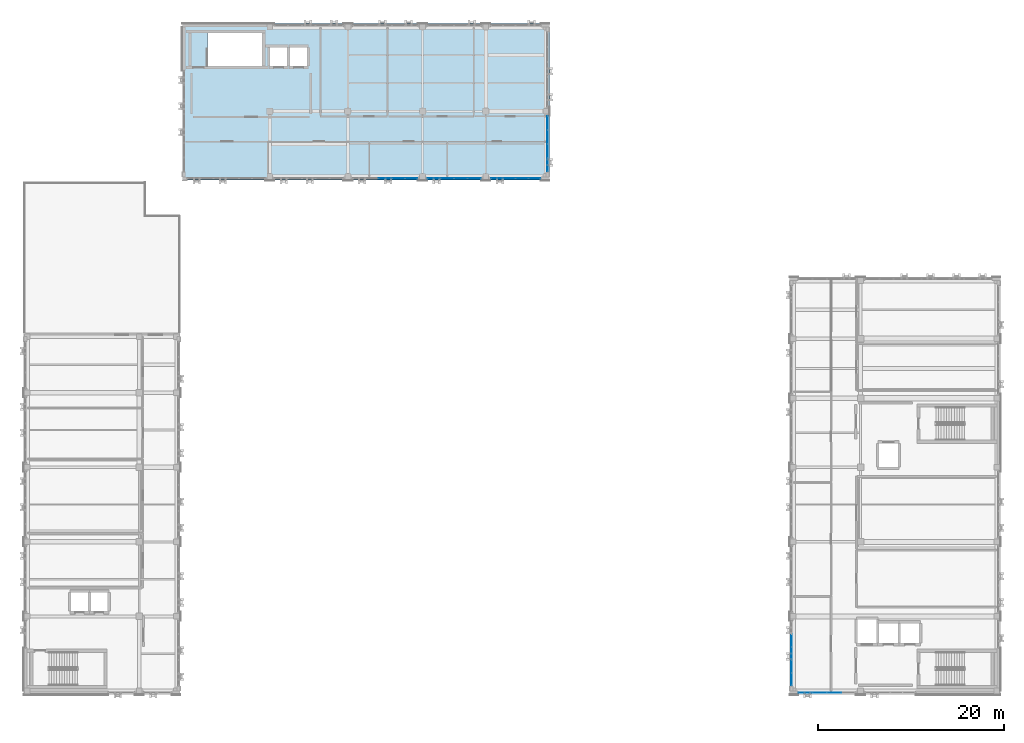
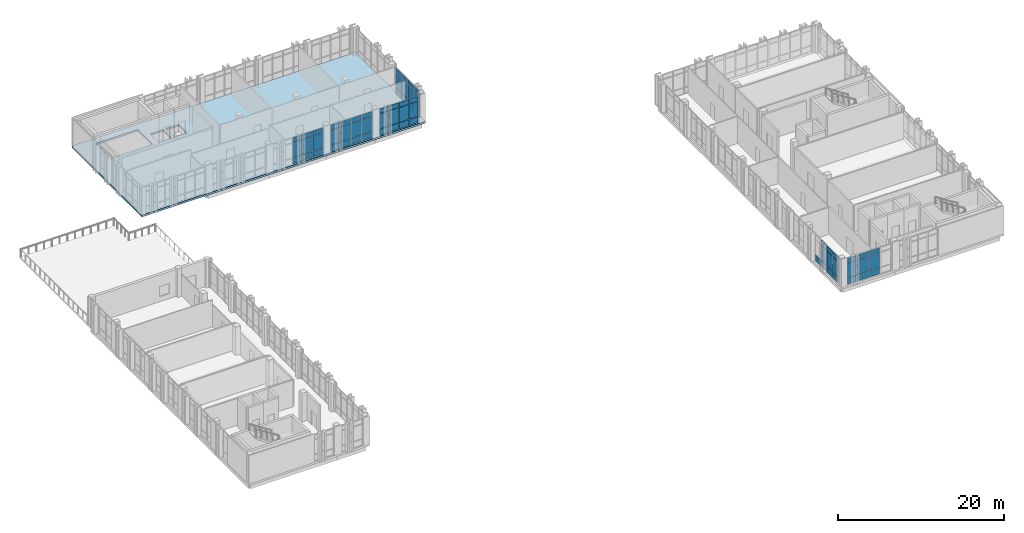
# One storey, part 54 of 77: 64 plates, 1 slab, 6 elements without a shape of their own.
"""IFC4 building model written with IfcOpenShell, lengths in metres."""

from ifc_helpers import new_model, si_unit, direction, frame, origin, origin_2d, place, context, subcontext, project, spatial, polyline, rectangle, outline, extrude, material, layer, layer_set, type_object, element, aggregate, save


model = new_model("IFC4")

# Units and contexts
model_context = context("Model", 3, precision=1e-05, world=origin(), true_north=direction((0.0, 1.0)))
body_context = subcontext(model_context, "Body", "Model", "MODEL_VIEW")
ifc_project = project(units=[si_unit("LENGTHUNIT", "METRE"), si_unit("AREAUNIT", "SQUARE_METRE"), si_unit("VOLUMEUNIT", "CUBIC_METRE"), si_unit("PLANEANGLEUNIT", "RADIAN"), si_unit("MASSUNIT", "GRAM", prefix="KILO")], contexts=[model_context])

# Site, building, storey
site_placement = place(None, origin())
site = spatial("IfcSite", under=ifc_project, at=site_placement, CompositionType="ELEMENT")
building_placement = place(site_placement, origin())
building = spatial("IfcBuilding", under=site, at=building_placement, Name="Qalavern Law Courts", CompositionType="ELEMENT")
storey_placement = place(building_placement, frame((0.0, 0.0, 27.0)))
storey = spatial("IfcBuildingStorey", under=building, at=storey_placement, Name="L06", CompositionType="ELEMENT", Elevation=27.0)

# Curtain wall, plates
ifc_material_1 = material(Name="Anodised aluminium and insulated glazing", Category="aluminium")
ifc_layer_1 = layer(ifc_material_1, 0.159912109375)
ifc_layer_set_1 = layer_set([ifc_layer_1], Name="Anodised aluminium and insulated glazing")
curtain_wall_type_1 = type_object("IfcCurtainWallType", Name="ENV-CW-CHAMB", PredefinedType="USERDEFINED", material=ifc_layer_set_1)
curtain_wall_1_placement = place(storey_placement, origin())
curtain_wall_1 = element("IfcCurtainWall", 1, at=curtain_wall_1_placement, inside=storey, type_object=curtain_wall_type_1, Name="V4 unitised curtain wall L06 south 1", ObjectType="UNITISED CURTAIN WALL", PredefinedType="USERDEFINED")
ifc_material_2 = material(Name="Insulated low-E acoustic glazing", Category="glass")
ifc_layer_2 = layer(ifc_material_2, 0.031982421875)
ifc_layer_set_2 = layer_set([ifc_layer_2], Name="Insulated low-E acoustic glazing")
plate_type_1 = type_object("IfcPlateType", Name="ENV-CWP-32", PredefinedType="CURTAIN_PANEL", material=ifc_layer_set_2)
plate_1_placement = place(storey_placement, frame((85.886962890625, 41.205078125, 0.048095703125), z_axis=(0.0, 0.0, 1.0), x_axis=(1.0, 0.0, 0.0)))
plate_1 = element("IfcPlate", 2, at=plate_1_placement, type_object=plate_type_1, Name="CW-04 panel 1.1", PredefinedType="CURTAIN_PANEL", context=body_context, shape_type="SweptSolid", body=[
    extrude(rectangle(XDim=1.47802734375, YDim=0.031982421875, at=origin_2d()), origin(), (0.0, 0.0, 1.0), 0.8779296875),
])
plate_2_placement = place(storey_placement, frame((85.886962890625, 41.205078125, 0.973876953125), z_axis=(0.0, 0.0, 1.0), x_axis=(1.0, 0.0, 0.0)))
plate_2 = element("IfcPlate", 3, at=plate_2_placement, type_object=plate_type_1, Name="CW-04 panel 1.2", PredefinedType="CURTAIN_PANEL", context=body_context, shape_type="SweptSolid", body=[
    extrude(rectangle(XDim=1.47802734375, YDim=0.031982421875, at=origin_2d()), origin(), (0.0, 0.0, 1.0), 2.18701171875),
])
plate_3_placement = place(storey_placement, frame((85.886962890625, 41.205078125, 3.208984375), z_axis=(0.0, 0.0, 1.0), x_axis=(1.0, 0.0, 0.0)))
plate_3 = element("IfcPlate", 4, at=plate_3_placement, type_object=plate_type_1, Name="CW-04 panel 1.3", PredefinedType="CURTAIN_PANEL", context=body_context, shape_type="SweptSolid", body=[
    extrude(rectangle(XDim=1.47802734375, YDim=0.031982421875, at=origin_2d()), origin(), (0.0, 0.0, 1.0), 0.677978515625),
])
plate_4_placement = place(storey_placement, frame((87.425048828125, 41.205078125, 0.048095703125), z_axis=(0.0, 0.0, 1.0), x_axis=(1.0, 0.0, 0.0)))
plate_4 = element("IfcPlate", 5, at=plate_4_placement, type_object=plate_type_1, Name="CW-04 panel 2.1", PredefinedType="CURTAIN_PANEL", context=body_context, shape_type="SweptSolid", body=[
    extrude(rectangle(XDim=1.501953125, YDim=0.031982421875, at=origin_2d()), origin(), (0.0, 0.0, 1.0), 0.8779296875),
])
plate_5_placement = place(storey_placement, frame((87.425048828125, 41.205078125, 0.973876953125), z_axis=(0.0, 0.0, 1.0), x_axis=(1.0, 0.0, 0.0)))
plate_5 = element("IfcPlate", 6, at=plate_5_placement, type_object=plate_type_1, Name="CW-04 panel 2.2", PredefinedType="CURTAIN_PANEL", context=body_context, shape_type="SweptSolid", body=[
    extrude(rectangle(XDim=1.501953125, YDim=0.031982421875, at=origin_2d()), origin(), (0.0, 0.0, 1.0), 2.18701171875),
])
plate_6_placement = place(storey_placement, frame((87.425048828125, 41.205078125, 3.208984375), z_axis=(0.0, 0.0, 1.0), x_axis=(1.0, 0.0, 0.0)))
plate_6 = element("IfcPlate", 7, at=plate_6_placement, type_object=plate_type_1, Name="CW-04 panel 2.3", PredefinedType="CURTAIN_PANEL", context=body_context, shape_type="SweptSolid", body=[
    extrude(rectangle(XDim=1.501953125, YDim=0.031982421875, at=origin_2d()), origin(), (0.0, 0.0, 1.0), 0.677978515625),
])
plate_7_placement = place(storey_placement, frame((88.97509765625, 41.205078125, 0.048095703125), z_axis=(0.0, 0.0, 1.0), x_axis=(1.0, 0.0, 0.0)))
plate_7 = element("IfcPlate", 8, at=plate_7_placement, type_object=plate_type_1, Name="CW-04 panel 3.1", PredefinedType="CURTAIN_PANEL", context=body_context, shape_type="SweptSolid", body=[
    extrude(rectangle(XDim=1.501953125, YDim=0.031982421875, at=origin_2d()), origin(), (0.0, 0.0, 1.0), 0.8779296875),
])
plate_8_placement = place(storey_placement, frame((88.97509765625, 41.205078125, 0.973876953125), z_axis=(0.0, 0.0, 1.0), x_axis=(1.0, 0.0, 0.0)))
plate_8 = element("IfcPlate", 9, at=plate_8_placement, type_object=plate_type_1, Name="CW-04 panel 3.2", PredefinedType="CURTAIN_PANEL", context=body_context, shape_type="SweptSolid", body=[
    extrude(rectangle(XDim=1.501953125, YDim=0.031982421875, at=origin_2d()), origin(), (0.0, 0.0, 1.0), 2.18701171875),
])
plate_9_placement = place(storey_placement, frame((88.97509765625, 41.205078125, 3.208984375), z_axis=(0.0, 0.0, 1.0), x_axis=(1.0, 0.0, 0.0)))
plate_9 = element("IfcPlate", 10, at=plate_9_placement, type_object=plate_type_1, Name="CW-04 panel 3.3", PredefinedType="CURTAIN_PANEL", context=body_context, shape_type="SweptSolid", body=[
    extrude(rectangle(XDim=1.501953125, YDim=0.031982421875, at=origin_2d()), origin(), (0.0, 0.0, 1.0), 0.677978515625),
])
aggregate(curtain_wall_1, [plate_1, plate_2, plate_3, plate_4, plate_5, plate_6, plate_7, plate_8, plate_9])

ifc_layer_3 = layer(ifc_material_1, 0.166015625)
ifc_layer_set_3 = layer_set([ifc_layer_3], Name="Anodised aluminium and insulated glazing")
curtain_wall_type_2 = type_object("IfcCurtainWallType", Name="ENV-CW-LIB", PredefinedType="USERDEFINED", material=ifc_layer_set_3)
curtain_wall_2_placement = place(storey_placement, origin())
curtain_wall_2 = element("IfcCurtainWall", 11, at=curtain_wall_2_placement, inside=storey, type_object=curtain_wall_type_2, Name="V5 unitised curtain wall L06 east 1", ObjectType="UNITISED CURTAIN WALL", PredefinedType="USERDEFINED")
plate_10_placement = place(storey_placement, frame((58.215087890625, 97.875244140625, 0.048095703125), z_axis=(0.0, 0.0, 1.0), x_axis=(0.0, 1.0, 0.0)))
plate_10 = element("IfcPlate", 12, at=plate_10_placement, type_object=plate_type_1, Name="CW-05 panel 1.1", PredefinedType="CURTAIN_PANEL", context=body_context, shape_type="SweptSolid", body=[
    extrude(rectangle(XDim=1.42431640625, YDim=0.031982421875, at=origin_2d()), origin(), (0.0, 0.0, 1.0), 0.8779296875),
])
plate_11_placement = place(storey_placement, frame((58.215087890625, 97.875244140625, 0.973876953125), z_axis=(0.0, 0.0, 1.0), x_axis=(0.0, 1.0, 0.0)))
plate_11 = element("IfcPlate", 13, at=plate_11_placement, type_object=plate_type_1, Name="CW-05 panel 1.2", PredefinedType="CURTAIN_PANEL", context=body_context, shape_type="SweptSolid", body=[
    extrude(rectangle(XDim=1.42431640625, YDim=0.031982421875, at=origin_2d()), origin(), (0.0, 0.0, 1.0), 2.18701171875),
])
plate_12_placement = place(storey_placement, frame((58.215087890625, 97.875244140625, 3.208984375), z_axis=(0.0, 0.0, 1.0), x_axis=(0.0, 1.0, 0.0)))
plate_12 = element("IfcPlate", 14, at=plate_12_placement, type_object=plate_type_1, Name="CW-05 panel 1.3", PredefinedType="CURTAIN_PANEL", context=body_context, shape_type="SweptSolid", body=[
    extrude(rectangle(XDim=1.42431640625, YDim=0.031982421875, at=origin_2d()), origin(), (0.0, 0.0, 1.0), 0.677978515625),
])
plate_13_placement = place(storey_placement, frame((58.215087890625, 99.359375, 0.048095703125), z_axis=(0.0, 0.0, 1.0), x_axis=(0.0, 1.0, 0.0)))
plate_13 = element("IfcPlate", 15, at=plate_13_placement, type_object=plate_type_1, Name="CW-05 panel 2.1", PredefinedType="CURTAIN_PANEL", context=body_context, shape_type="SweptSolid", body=[
    extrude(rectangle(XDim=1.4482421875, YDim=0.031982421875, at=origin_2d()), origin(), (0.0, 0.0, 1.0), 0.8779296875),
])
plate_14_placement = place(storey_placement, frame((58.215087890625, 99.359375, 0.973876953125), z_axis=(0.0, 0.0, 1.0), x_axis=(0.0, 1.0, 0.0)))
plate_14 = element("IfcPlate", 16, at=plate_14_placement, type_object=plate_type_1, Name="CW-05 panel 2.2", PredefinedType="CURTAIN_PANEL", context=body_context, shape_type="SweptSolid", body=[
    extrude(rectangle(XDim=1.4482421875, YDim=0.031982421875, at=origin_2d()), origin(), (0.0, 0.0, 1.0), 2.18701171875),
])
plate_15_placement = place(storey_placement, frame((58.215087890625, 99.359375, 3.208984375), z_axis=(0.0, 0.0, 1.0), x_axis=(0.0, 1.0, 0.0)))
plate_15 = element("IfcPlate", 17, at=plate_15_placement, type_object=plate_type_1, Name="CW-05 panel 2.3", PredefinedType="CURTAIN_PANEL", context=body_context, shape_type="SweptSolid", body=[
    extrude(rectangle(XDim=1.4482421875, YDim=0.031982421875, at=origin_2d()), origin(), (0.0, 0.0, 1.0), 0.677978515625),
])
plate_16_placement = place(storey_placement, frame((58.215087890625, 100.855712890625, 0.048095703125), z_axis=(0.0, 0.0, 1.0), x_axis=(0.0, 1.0, 0.0)))
plate_16 = element("IfcPlate", 18, at=plate_16_placement, type_object=plate_type_1, Name="CW-05 panel 3.1", PredefinedType="CURTAIN_PANEL", context=body_context, shape_type="SweptSolid", body=[
    extrude(rectangle(XDim=1.4482421875, YDim=0.031982421875, at=origin_2d()), origin(), (0.0, 0.0, 1.0), 0.8779296875),
])
plate_17_placement = place(storey_placement, frame((58.215087890625, 100.855712890625, 0.973876953125), z_axis=(0.0, 0.0, 1.0), x_axis=(0.0, 1.0, 0.0)))
plate_17 = element("IfcPlate", 19, at=plate_17_placement, type_object=plate_type_1, Name="CW-05 panel 3.2", PredefinedType="CURTAIN_PANEL", context=body_context, shape_type="SweptSolid", body=[
    extrude(rectangle(XDim=1.4482421875, YDim=0.031982421875, at=origin_2d()), origin(), (0.0, 0.0, 1.0), 2.18701171875),
])
plate_18_placement = place(storey_placement, frame((58.215087890625, 100.855712890625, 3.208984375), z_axis=(0.0, 0.0, 1.0), x_axis=(0.0, 1.0, 0.0)))
plate_18 = element("IfcPlate", 20, at=plate_18_placement, type_object=plate_type_1, Name="CW-05 panel 3.3", PredefinedType="CURTAIN_PANEL", context=body_context, shape_type="SweptSolid", body=[
    extrude(rectangle(XDim=1.4482421875, YDim=0.031982421875, at=origin_2d()), origin(), (0.0, 0.0, 1.0), 0.677978515625),
])
plate_19_placement = place(storey_placement, frame((58.215087890625, 102.33984375, 0.048095703125), z_axis=(0.0, 0.0, 1.0), x_axis=(0.0, 1.0, 0.0)))
plate_19 = element("IfcPlate", 21, at=plate_19_placement, type_object=plate_type_1, Name="CW-05 panel 4.1", PredefinedType="CURTAIN_PANEL", context=body_context, shape_type="SweptSolid", body=[
    extrude(rectangle(XDim=1.42431640625, YDim=0.031982421875, at=origin_2d()), origin(), (0.0, 0.0, 1.0), 0.8779296875),
])
plate_20_placement = place(storey_placement, frame((58.215087890625, 102.33984375, 0.973876953125), z_axis=(0.0, 0.0, 1.0), x_axis=(0.0, 1.0, 0.0)))
plate_20 = element("IfcPlate", 22, at=plate_20_placement, type_object=plate_type_1, Name="CW-05 panel 4.2", PredefinedType="CURTAIN_PANEL", context=body_context, shape_type="SweptSolid", body=[
    extrude(rectangle(XDim=1.42431640625, YDim=0.031982421875, at=origin_2d()), origin(), (0.0, 0.0, 1.0), 2.18701171875),
])
plate_21_placement = place(storey_placement, frame((58.215087890625, 102.33984375, 3.208984375), z_axis=(0.0, 0.0, 1.0), x_axis=(0.0, 1.0, 0.0)))
plate_21 = element("IfcPlate", 23, at=plate_21_placement, type_object=plate_type_1, Name="CW-05 panel 4.3", PredefinedType="CURTAIN_PANEL", context=body_context, shape_type="SweptSolid", body=[
    extrude(rectangle(XDim=1.42431640625, YDim=0.031982421875, at=origin_2d()), origin(), (0.0, 0.0, 1.0), 0.677978515625),
])
aggregate(curtain_wall_2, [plate_10, plate_11, plate_12, plate_13, plate_14, plate_15, plate_16, plate_17, plate_18, plate_19, plate_20, plate_21])

curtain_wall_3_placement = place(storey_placement, origin())
curtain_wall_3 = element("IfcCurtainWall", 24, at=curtain_wall_3_placement, inside=storey, type_object=curtain_wall_type_2, Name="V5 unitised curtain wall L06 south 3", ObjectType="UNITISED CURTAIN WALL", PredefinedType="USERDEFINED")
ifc_layer_4 = layer(ifc_material_2, 0.0400390625)
ifc_layer_set_4 = layer_set([ifc_layer_4], Name="Insulated low-E acoustic glazing")
plate_type_2 = type_object("IfcPlateType", Name="ENV-CWP-40", PredefinedType="CURTAIN_PANEL", material=ifc_layer_set_4)
plate_22_placement = place(storey_placement, frame((40.800048828125, 96.385009765625, 0.048095703125), z_axis=(0.0, 0.0, 1.0), x_axis=(1.0, 0.0, 0.0)))
plate_22 = element("IfcPlate", 25, at=plate_22_placement, type_object=plate_type_2, Name="CW-05 panel 3.1", PredefinedType="CURTAIN_PANEL", context=body_context, shape_type="SweptSolid", body=[
    extrude(rectangle(XDim=1.35205078125, YDim=0.0400390625, at=origin_2d()), origin(), (0.0, 0.0, 1.0), 0.8779296875),
])
plate_23_placement = place(storey_placement, frame((40.800048828125, 96.385009765625, 0.973876953125), z_axis=(0.0, 0.0, 1.0), x_axis=(1.0, 0.0, 0.0)))
plate_23 = element("IfcPlate", 26, at=plate_23_placement, type_object=plate_type_2, Name="CW-05 panel 3.2", PredefinedType="CURTAIN_PANEL", context=body_context, shape_type="SweptSolid", body=[
    extrude(rectangle(XDim=1.35205078125, YDim=0.0400390625, at=origin_2d()), origin(), (0.0, 0.0, 1.0), 2.18701171875),
])
plate_24_placement = place(storey_placement, frame((40.800048828125, 96.385009765625, 3.208984375), z_axis=(0.0, 0.0, 1.0), x_axis=(1.0, 0.0, 0.0)))
plate_24 = element("IfcPlate", 27, at=plate_24_placement, type_object=plate_type_2, Name="CW-05 panel 3.3", PredefinedType="CURTAIN_PANEL", context=body_context, shape_type="SweptSolid", body=[
    extrude(rectangle(XDim=1.35205078125, YDim=0.0400390625, at=origin_2d()), origin(), (0.0, 0.0, 1.0), 0.677978515625),
])
plate_25_placement = place(storey_placement, frame((42.199951171875, 96.385009765625, 0.048095703125), z_axis=(0.0, 0.0, 1.0), x_axis=(1.0, 0.0, 0.0)))
plate_25 = element("IfcPlate", 28, at=plate_25_placement, type_object=plate_type_2, Name="CW-05 panel 4.1", PredefinedType="CURTAIN_PANEL", context=body_context, shape_type="SweptSolid", body=[
    extrude(rectangle(XDim=1.35205078125, YDim=0.0400390625, at=origin_2d()), origin(), (0.0, 0.0, 1.0), 0.8779296875),
])
plate_26_placement = place(storey_placement, frame((42.199951171875, 96.385009765625, 0.973876953125), z_axis=(0.0, 0.0, 1.0), x_axis=(1.0, 0.0, 0.0)))
plate_26 = element("IfcPlate", 29, at=plate_26_placement, type_object=plate_type_2, Name="CW-05 panel 4.2", PredefinedType="CURTAIN_PANEL", context=body_context, shape_type="SweptSolid", body=[
    extrude(rectangle(XDim=1.35205078125, YDim=0.0400390625, at=origin_2d()), origin(), (0.0, 0.0, 1.0), 2.18701171875),
])
plate_27_placement = place(storey_placement, frame((42.199951171875, 96.385009765625, 3.208984375), z_axis=(0.0, 0.0, 1.0), x_axis=(1.0, 0.0, 0.0)))
plate_27 = element("IfcPlate", 30, at=plate_27_placement, type_object=plate_type_2, Name="CW-05 panel 4.3", PredefinedType="CURTAIN_PANEL", context=body_context, shape_type="SweptSolid", body=[
    extrude(rectangle(XDim=1.35205078125, YDim=0.0400390625, at=origin_2d()), origin(), (0.0, 0.0, 1.0), 0.677978515625),
])
plate_28_placement = place(storey_placement, frame((43.587890625, 96.385009765625, 0.048095703125), z_axis=(0.0, 0.0, 1.0), x_axis=(1.0, 0.0, 0.0)))
plate_28 = element("IfcPlate", 31, at=plate_28_placement, type_object=plate_type_2, Name="CW-05 panel 5.1", PredefinedType="CURTAIN_PANEL", context=body_context, shape_type="SweptSolid", body=[
    extrude(rectangle(XDim=1.327880859375, YDim=0.0400390625, at=origin_2d()), origin(), (0.0, 0.0, 1.0), 0.8779296875),
])
plate_29_placement = place(storey_placement, frame((43.587890625, 96.385009765625, 0.973876953125), z_axis=(0.0, 0.0, 1.0), x_axis=(1.0, 0.0, 0.0)))
plate_29 = element("IfcPlate", 32, at=plate_29_placement, type_object=plate_type_2, Name="CW-05 panel 5.2", PredefinedType="CURTAIN_PANEL", context=body_context, shape_type="SweptSolid", body=[
    extrude(rectangle(XDim=1.327880859375, YDim=0.0400390625, at=origin_2d()), origin(), (0.0, 0.0, 1.0), 2.18701171875),
])
plate_30_placement = place(storey_placement, frame((43.587890625, 96.385009765625, 3.208984375), z_axis=(0.0, 0.0, 1.0), x_axis=(1.0, 0.0, 0.0)))
plate_30 = element("IfcPlate", 33, at=plate_30_placement, type_object=plate_type_2, Name="CW-05 panel 5.3", PredefinedType="CURTAIN_PANEL", context=body_context, shape_type="SweptSolid", body=[
    extrude(rectangle(XDim=1.327880859375, YDim=0.0400390625, at=origin_2d()), origin(), (0.0, 0.0, 1.0), 0.677978515625),
])
aggregate(curtain_wall_3, [plate_22, plate_23, plate_24, plate_25, plate_26, plate_27, plate_28, plate_29, plate_30])

curtain_wall_4_placement = place(storey_placement, origin())
curtain_wall_4 = element("IfcCurtainWall", 34, at=curtain_wall_4_placement, inside=storey, type_object=curtain_wall_type_2, Name="V5 unitised curtain wall L06 south 4", ObjectType="UNITISED CURTAIN WALL", PredefinedType="USERDEFINED")
ifc_layer_5 = layer(ifc_material_2, 0.0439453125)
ifc_layer_set_5 = layer_set([ifc_layer_5], Name="Insulated low-E acoustic glazing")
plate_type_3 = type_object("IfcPlateType", Name="ENV-CWP-44", PredefinedType="CURTAIN_PANEL", material=ifc_layer_set_5)
plate_31_placement = place(storey_placement, frame((46.037109375, 96.385009765625, 0.048095703125), z_axis=(0.0, 0.0, 1.0), x_axis=(1.0, 0.0, 0.0)))
plate_31 = element("IfcPlate", 35, at=plate_31_placement, type_object=plate_type_3, Name="CW-05 panel 1.1", PredefinedType="CURTAIN_PANEL", context=body_context, shape_type="SweptSolid", body=[
    extrude(rectangle(XDim=1.3779296875, YDim=0.0439453125, at=origin_2d()), origin(), (0.0, 0.0, 1.0), 0.8779296875),
])
plate_32_placement = place(storey_placement, frame((46.037109375, 96.385009765625, 0.973876953125), z_axis=(0.0, 0.0, 1.0), x_axis=(1.0, 0.0, 0.0)))
plate_32 = element("IfcPlate", 36, at=plate_32_placement, type_object=plate_type_3, Name="CW-05 panel 1.2", PredefinedType="CURTAIN_PANEL", context=body_context, shape_type="SweptSolid", body=[
    extrude(rectangle(XDim=1.3779296875, YDim=0.0439453125, at=origin_2d()), origin(), (0.0, 0.0, 1.0), 2.18701171875),
])
plate_33_placement = place(storey_placement, frame((46.037109375, 96.385009765625, 3.208984375), z_axis=(0.0, 0.0, 1.0), x_axis=(1.0, 0.0, 0.0)))
plate_33 = element("IfcPlate", 37, at=plate_33_placement, type_object=plate_type_3, Name="CW-05 panel 1.3", PredefinedType="CURTAIN_PANEL", context=body_context, shape_type="SweptSolid", body=[
    extrude(rectangle(XDim=1.3779296875, YDim=0.0439453125, at=origin_2d()), origin(), (0.0, 0.0, 1.0), 0.677978515625),
])
plate_34_placement = place(storey_placement, frame((47.47509765625, 96.385009765625, 0.048095703125), z_axis=(0.0, 0.0, 1.0), x_axis=(1.0, 0.0, 0.0)))
plate_34 = element("IfcPlate", 38, at=plate_34_placement, type_object=plate_type_3, Name="CW-05 panel 2.1", PredefinedType="CURTAIN_PANEL", context=body_context, shape_type="SweptSolid", body=[
    extrude(rectangle(XDim=1.402099609375, YDim=0.0439453125, at=origin_2d()), origin(), (0.0, 0.0, 1.0), 0.8779296875),
])
plate_35_placement = place(storey_placement, frame((47.47509765625, 96.385009765625, 0.973876953125), z_axis=(0.0, 0.0, 1.0), x_axis=(1.0, 0.0, 0.0)))
plate_35 = element("IfcPlate", 39, at=plate_35_placement, type_object=plate_type_3, Name="CW-05 panel 2.2", PredefinedType="CURTAIN_PANEL", context=body_context, shape_type="SweptSolid", body=[
    extrude(rectangle(XDim=1.402099609375, YDim=0.0439453125, at=origin_2d()), origin(), (0.0, 0.0, 1.0), 2.18701171875),
])
plate_36_placement = place(storey_placement, frame((47.47509765625, 96.385009765625, 3.208984375), z_axis=(0.0, 0.0, 1.0), x_axis=(1.0, 0.0, 0.0)))
plate_36 = element("IfcPlate", 40, at=plate_36_placement, type_object=plate_type_3, Name="CW-05 panel 2.3", PredefinedType="CURTAIN_PANEL", context=body_context, shape_type="SweptSolid", body=[
    extrude(rectangle(XDim=1.402099609375, YDim=0.0439453125, at=origin_2d()), origin(), (0.0, 0.0, 1.0), 0.677978515625),
])
plate_37_placement = place(storey_placement, frame((48.925048828125, 96.385009765625, 0.048095703125), z_axis=(0.0, 0.0, 1.0), x_axis=(1.0, 0.0, 0.0)))
plate_37 = element("IfcPlate", 41, at=plate_37_placement, type_object=plate_type_3, Name="CW-05 panel 3.1", PredefinedType="CURTAIN_PANEL", context=body_context, shape_type="SweptSolid", body=[
    extrude(rectangle(XDim=1.402099609375, YDim=0.0439453125, at=origin_2d()), origin(), (0.0, 0.0, 1.0), 0.8779296875),
])
plate_38_placement = place(storey_placement, frame((48.925048828125, 96.385009765625, 0.973876953125), z_axis=(0.0, 0.0, 1.0), x_axis=(1.0, 0.0, 0.0)))
plate_38 = element("IfcPlate", 42, at=plate_38_placement, type_object=plate_type_3, Name="CW-05 panel 3.2", PredefinedType="CURTAIN_PANEL", context=body_context, shape_type="SweptSolid", body=[
    extrude(rectangle(XDim=1.402099609375, YDim=0.0439453125, at=origin_2d()), origin(), (0.0, 0.0, 1.0), 2.18701171875),
])
plate_39_placement = place(storey_placement, frame((48.925048828125, 96.385009765625, 3.208984375), z_axis=(0.0, 0.0, 1.0), x_axis=(1.0, 0.0, 0.0)))
plate_39 = element("IfcPlate", 43, at=plate_39_placement, type_object=plate_type_3, Name="CW-05 panel 3.3", PredefinedType="CURTAIN_PANEL", context=body_context, shape_type="SweptSolid", body=[
    extrude(rectangle(XDim=1.402099609375, YDim=0.0439453125, at=origin_2d()), origin(), (0.0, 0.0, 1.0), 0.677978515625),
])
plate_40_placement = place(storey_placement, frame((50.363037109375, 96.385009765625, 0.048095703125), z_axis=(0.0, 0.0, 1.0), x_axis=(1.0, 0.0, 0.0)))
plate_40 = element("IfcPlate", 44, at=plate_40_placement, type_object=plate_type_3, Name="CW-05 panel 4.1", PredefinedType="CURTAIN_PANEL", context=body_context, shape_type="SweptSolid", body=[
    extrude(rectangle(XDim=1.3779296875, YDim=0.0439453125, at=origin_2d()), origin(), (0.0, 0.0, 1.0), 0.8779296875),
])
plate_41_placement = place(storey_placement, frame((50.363037109375, 96.385009765625, 0.973876953125), z_axis=(0.0, 0.0, 1.0), x_axis=(1.0, 0.0, 0.0)))
plate_41 = element("IfcPlate", 45, at=plate_41_placement, type_object=plate_type_3, Name="CW-05 panel 4.2", PredefinedType="CURTAIN_PANEL", context=body_context, shape_type="SweptSolid", body=[
    extrude(rectangle(XDim=1.3779296875, YDim=0.0439453125, at=origin_2d()), origin(), (0.0, 0.0, 1.0), 2.18701171875),
])
plate_42_placement = place(storey_placement, frame((50.363037109375, 96.385009765625, 3.208984375), z_axis=(0.0, 0.0, 1.0), x_axis=(1.0, 0.0, 0.0)))
plate_42 = element("IfcPlate", 46, at=plate_42_placement, type_object=plate_type_3, Name="CW-05 panel 4.3", PredefinedType="CURTAIN_PANEL", context=body_context, shape_type="SweptSolid", body=[
    extrude(rectangle(XDim=1.3779296875, YDim=0.0439453125, at=origin_2d()), origin(), (0.0, 0.0, 1.0), 0.677978515625),
])
aggregate(curtain_wall_4, [plate_31, plate_32, plate_33, plate_34, plate_35, plate_36, plate_37, plate_38, plate_39, plate_40, plate_41, plate_42])

curtain_wall_5_placement = place(storey_placement, origin())
curtain_wall_5 = element("IfcCurtainWall", 47, at=curtain_wall_5_placement, inside=storey, type_object=curtain_wall_type_2, Name="V5 unitised curtain wall L06 south 5", ObjectType="UNITISED CURTAIN WALL", PredefinedType="USERDEFINED")
ifc_layer_6 = layer(ifc_material_2, 0.048095703125)
ifc_layer_set_6 = layer_set([ifc_layer_6], Name="Insulated low-E acoustic glazing")
plate_type_4 = type_object("IfcPlateType", Name="ENV-CWP-48", PredefinedType="CURTAIN_PANEL", material=ifc_layer_set_6)
plate_43_placement = place(storey_placement, frame((52.787109375, 96.385009765625, 0.048095703125), z_axis=(0.0, 0.0, 1.0), x_axis=(1.0, 0.0, 0.0)))
plate_43 = element("IfcPlate", 48, at=plate_43_placement, type_object=plate_type_4, Name="CW-05 panel 1.1", PredefinedType="CURTAIN_PANEL", context=body_context, shape_type="SweptSolid", body=[
    extrude(rectangle(XDim=1.278076171875, YDim=0.048095703125, at=origin_2d()), origin(), (0.0, 0.0, 1.0), 0.8779296875),
])
plate_44_placement = place(storey_placement, frame((52.787109375, 96.385009765625, 0.973876953125), z_axis=(0.0, 0.0, 1.0), x_axis=(1.0, 0.0, 0.0)))
plate_44 = element("IfcPlate", 49, at=plate_44_placement, type_object=plate_type_4, Name="CW-05 panel 1.2", PredefinedType="CURTAIN_PANEL", context=body_context, shape_type="SweptSolid", body=[
    extrude(rectangle(XDim=1.278076171875, YDim=0.048095703125, at=origin_2d()), origin(), (0.0, 0.0, 1.0), 2.18701171875),
])
plate_45_placement = place(storey_placement, frame((52.787109375, 96.385009765625, 3.208984375), z_axis=(0.0, 0.0, 1.0), x_axis=(1.0, 0.0, 0.0)))
plate_45 = element("IfcPlate", 50, at=plate_45_placement, type_object=plate_type_4, Name="CW-05 panel 1.3", PredefinedType="CURTAIN_PANEL", context=body_context, shape_type="SweptSolid", body=[
    extrude(rectangle(XDim=1.278076171875, YDim=0.048095703125, at=origin_2d()), origin(), (0.0, 0.0, 1.0), 0.677978515625),
])
plate_46_placement = place(storey_placement, frame((54.125, 96.385009765625, 0.048095703125), z_axis=(0.0, 0.0, 1.0), x_axis=(1.0, 0.0, 0.0)))
plate_46 = element("IfcPlate", 51, at=plate_46_placement, type_object=plate_type_4, Name="CW-05 panel 2.1", PredefinedType="CURTAIN_PANEL", context=body_context, shape_type="SweptSolid", body=[
    extrude(rectangle(XDim=1.302001953125, YDim=0.048095703125, at=origin_2d()), origin(), (0.0, 0.0, 1.0), 0.8779296875),
])
plate_47_placement = place(storey_placement, frame((54.125, 96.385009765625, 0.973876953125), z_axis=(0.0, 0.0, 1.0), x_axis=(1.0, 0.0, 0.0)))
plate_47 = element("IfcPlate", 52, at=plate_47_placement, type_object=plate_type_4, Name="CW-05 panel 2.2", PredefinedType="CURTAIN_PANEL", context=body_context, shape_type="SweptSolid", body=[
    extrude(rectangle(XDim=1.302001953125, YDim=0.048095703125, at=origin_2d()), origin(), (0.0, 0.0, 1.0), 2.18701171875),
])
plate_48_placement = place(storey_placement, frame((54.125, 96.385009765625, 3.208984375), z_axis=(0.0, 0.0, 1.0), x_axis=(1.0, 0.0, 0.0)))
plate_48 = element("IfcPlate", 53, at=plate_48_placement, type_object=plate_type_4, Name="CW-05 panel 2.3", PredefinedType="CURTAIN_PANEL", context=body_context, shape_type="SweptSolid", body=[
    extrude(rectangle(XDim=1.302001953125, YDim=0.048095703125, at=origin_2d()), origin(), (0.0, 0.0, 1.0), 0.677978515625),
])
plate_49_placement = place(storey_placement, frame((55.47509765625, 96.385009765625, 0.048095703125), z_axis=(0.0, 0.0, 1.0), x_axis=(1.0, 0.0, 0.0)))
plate_49 = element("IfcPlate", 54, at=plate_49_placement, type_object=plate_type_4, Name="CW-05 panel 3.1", PredefinedType="CURTAIN_PANEL", context=body_context, shape_type="SweptSolid", body=[
    extrude(rectangle(XDim=1.302001953125, YDim=0.048095703125, at=origin_2d()), origin(), (0.0, 0.0, 1.0), 0.8779296875),
])
plate_50_placement = place(storey_placement, frame((55.47509765625, 96.385009765625, 0.973876953125), z_axis=(0.0, 0.0, 1.0), x_axis=(1.0, 0.0, 0.0)))
plate_50 = element("IfcPlate", 55, at=plate_50_placement, type_object=plate_type_4, Name="CW-05 panel 3.2", PredefinedType="CURTAIN_PANEL", context=body_context, shape_type="SweptSolid", body=[
    extrude(rectangle(XDim=1.302001953125, YDim=0.048095703125, at=origin_2d()), origin(), (0.0, 0.0, 1.0), 2.18701171875),
])
plate_51_placement = place(storey_placement, frame((55.47509765625, 96.385009765625, 3.208984375), z_axis=(0.0, 0.0, 1.0), x_axis=(1.0, 0.0, 0.0)))
plate_51 = element("IfcPlate", 56, at=plate_51_placement, type_object=plate_type_4, Name="CW-05 panel 3.3", PredefinedType="CURTAIN_PANEL", context=body_context, shape_type="SweptSolid", body=[
    extrude(rectangle(XDim=1.302001953125, YDim=0.048095703125, at=origin_2d()), origin(), (0.0, 0.0, 1.0), 0.677978515625),
])
plate_52_placement = place(storey_placement, frame((56.81298828125, 96.385009765625, 0.048095703125), z_axis=(0.0, 0.0, 1.0), x_axis=(1.0, 0.0, 0.0)))
plate_52 = element("IfcPlate", 57, at=plate_52_placement, type_object=plate_type_4, Name="CW-05 panel 4.1", PredefinedType="CURTAIN_PANEL", context=body_context, shape_type="SweptSolid", body=[
    extrude(rectangle(XDim=1.278076171875, YDim=0.048095703125, at=origin_2d()), origin(), (0.0, 0.0, 1.0), 0.8779296875),
])
plate_53_placement = place(storey_placement, frame((56.81298828125, 96.385009765625, 0.973876953125), z_axis=(0.0, 0.0, 1.0), x_axis=(1.0, 0.0, 0.0)))
plate_53 = element("IfcPlate", 58, at=plate_53_placement, type_object=plate_type_4, Name="CW-05 panel 4.2", PredefinedType="CURTAIN_PANEL", context=body_context, shape_type="SweptSolid", body=[
    extrude(rectangle(XDim=1.278076171875, YDim=0.048095703125, at=origin_2d()), origin(), (0.0, 0.0, 1.0), 2.18701171875),
])
plate_54_placement = place(storey_placement, frame((56.81298828125, 96.385009765625, 3.208984375), z_axis=(0.0, 0.0, 1.0), x_axis=(1.0, 0.0, 0.0)))
plate_54 = element("IfcPlate", 59, at=plate_54_placement, type_object=plate_type_4, Name="CW-05 panel 4.3", PredefinedType="CURTAIN_PANEL", context=body_context, shape_type="SweptSolid", body=[
    extrude(rectangle(XDim=1.278076171875, YDim=0.048095703125, at=origin_2d()), origin(), (0.0, 0.0, 1.0), 0.677978515625),
])
aggregate(curtain_wall_5, [plate_43, plate_44, plate_45, plate_46, plate_47, plate_48, plate_49, plate_50, plate_51, plate_52, plate_53, plate_54])

curtain_wall_6_placement = place(storey_placement, origin())
curtain_wall_6 = element("IfcCurtainWall", 60, at=curtain_wall_6_placement, inside=storey, type_object=curtain_wall_type_1, Name="V4 unitised curtain wall L06 west 6", ObjectType="UNITISED CURTAIN WALL", PredefinedType="USERDEFINED")
ifc_layer_7 = layer(ifc_material_2, 0.052001953125)
ifc_layer_set_7 = layer_set([ifc_layer_7], Name="Insulated low-E acoustic glazing")
plate_type_5 = type_object("IfcPlateType", Name="ENV-CWP-52", PredefinedType="CURTAIN_PANEL", material=ifc_layer_set_7)
plate_55_placement = place(storey_placement, frame((84.385009765625, 46.810546875, 0.048095703125), z_axis=(0.0, 0.0, 1.0), x_axis=(0.0, -1.0, 0.0)))
plate_55 = element("IfcPlate", 61, at=plate_55_placement, type_object=plate_type_5, Name="CW-04 panel 2.1", PredefinedType="CURTAIN_PANEL", context=body_context, shape_type="SweptSolid", body=[
    extrude(rectangle(XDim=1.344970703125, YDim=0.052001953125, at=origin_2d()), origin(), (0.0, 0.0, 1.0), 0.8779296875),
])
plate_56_placement = place(storey_placement, frame((84.385009765625, 45.41748046875, 0.048095703125), z_axis=(0.0, 0.0, 1.0), x_axis=(0.0, -1.0, 0.0)))
plate_56 = element("IfcPlate", 62, at=plate_56_placement, type_object=plate_type_5, Name="CW-04 panel 3.1", PredefinedType="CURTAIN_PANEL", context=body_context, shape_type="SweptSolid", body=[
    extrude(rectangle(XDim=1.344970703125, YDim=0.052001953125, at=origin_2d()), origin(), (0.0, 0.0, 1.0), 0.8779296875),
])
plate_57_placement = place(storey_placement, frame((84.385009765625, 45.41748046875, 0.973876953125), z_axis=(0.0, 0.0, 1.0), x_axis=(0.0, -1.0, 0.0)))
plate_57 = element("IfcPlate", 63, at=plate_57_placement, type_object=plate_type_5, Name="CW-04 panel 3.2", PredefinedType="CURTAIN_PANEL", context=body_context, shape_type="SweptSolid", body=[
    extrude(rectangle(XDim=1.344970703125, YDim=0.052001953125, at=origin_2d()), origin(), (0.0, 0.0, 1.0), 2.18701171875),
])
plate_58_placement = place(storey_placement, frame((84.385009765625, 45.41748046875, 3.208984375), z_axis=(0.0, 0.0, 1.0), x_axis=(0.0, -1.0, 0.0)))
plate_58 = element("IfcPlate", 64, at=plate_58_placement, type_object=plate_type_5, Name="CW-04 panel 3.3", PredefinedType="CURTAIN_PANEL", context=body_context, shape_type="SweptSolid", body=[
    extrude(rectangle(XDim=1.344970703125, YDim=0.052001953125, at=origin_2d()), origin(), (0.0, 0.0, 1.0), 0.677978515625),
])
plate_59_placement = place(storey_placement, frame((84.385009765625, 44.0244140625, 0.048095703125), z_axis=(0.0, 0.0, 1.0), x_axis=(0.0, -1.0, 0.0)))
plate_59 = element("IfcPlate", 65, at=plate_59_placement, type_object=plate_type_5, Name="CW-04 panel 4.1", PredefinedType="CURTAIN_PANEL", context=body_context, shape_type="SweptSolid", body=[
    extrude(rectangle(XDim=1.344970703125, YDim=0.052001953125, at=origin_2d()), origin(), (0.0, 0.0, 1.0), 0.8779296875),
])
plate_60_placement = place(storey_placement, frame((84.385009765625, 44.0244140625, 0.973876953125), z_axis=(0.0, 0.0, 1.0), x_axis=(0.0, -1.0, 0.0)))
plate_60 = element("IfcPlate", 66, at=plate_60_placement, type_object=plate_type_5, Name="CW-04 panel 4.2", PredefinedType="CURTAIN_PANEL", context=body_context, shape_type="SweptSolid", body=[
    extrude(rectangle(XDim=1.344970703125, YDim=0.052001953125, at=origin_2d()), origin(), (0.0, 0.0, 1.0), 2.18701171875),
])
plate_61_placement = place(storey_placement, frame((84.385009765625, 44.0244140625, 3.208984375), z_axis=(0.0, 0.0, 1.0), x_axis=(0.0, -1.0, 0.0)))
plate_61 = element("IfcPlate", 67, at=plate_61_placement, type_object=plate_type_5, Name="CW-04 panel 4.3", PredefinedType="CURTAIN_PANEL", context=body_context, shape_type="SweptSolid", body=[
    extrude(rectangle(XDim=1.344970703125, YDim=0.052001953125, at=origin_2d()), origin(), (0.0, 0.0, 1.0), 0.677978515625),
])
plate_62_placement = place(storey_placement, frame((84.385009765625, 42.6435546875, 0.048095703125), z_axis=(0.0, 0.0, 1.0), x_axis=(0.0, -1.0, 0.0)))
plate_62 = element("IfcPlate", 68, at=plate_62_placement, type_object=plate_type_5, Name="CW-04 panel 5.1", PredefinedType="CURTAIN_PANEL", context=body_context, shape_type="SweptSolid", body=[
    extrude(rectangle(XDim=1.321044921875, YDim=0.052001953125, at=origin_2d()), origin(), (0.0, 0.0, 1.0), 0.8779296875),
])
plate_63_placement = place(storey_placement, frame((84.385009765625, 42.6435546875, 0.973876953125), z_axis=(0.0, 0.0, 1.0), x_axis=(0.0, -1.0, 0.0)))
plate_63 = element("IfcPlate", 69, at=plate_63_placement, type_object=plate_type_5, Name="CW-04 panel 5.2", PredefinedType="CURTAIN_PANEL", context=body_context, shape_type="SweptSolid", body=[
    extrude(rectangle(XDim=1.321044921875, YDim=0.052001953125, at=origin_2d()), origin(), (0.0, 0.0, 1.0), 2.18701171875),
])
plate_64_placement = place(storey_placement, frame((84.385009765625, 42.6435546875, 3.208984375), z_axis=(0.0, 0.0, 1.0), x_axis=(0.0, -1.0, 0.0)))
plate_64 = element("IfcPlate", 70, at=plate_64_placement, type_object=plate_type_5, Name="CW-04 panel 5.3", PredefinedType="CURTAIN_PANEL", context=body_context, shape_type="SweptSolid", body=[
    extrude(rectangle(XDim=1.321044921875, YDim=0.052001953125, at=origin_2d()), origin(), (0.0, 0.0, 1.0), 0.677978515625),
])
aggregate(curtain_wall_6, [plate_55, plate_56, plate_57, plate_58, plate_59, plate_60, plate_61, plate_62, plate_63, plate_64])

# Slab
ifc_material_3 = material(Name="Concrete C35/45", Category="concrete")
ifc_layer_8 = layer(ifc_material_3, 0.27001953125)
ifc_layer_set_8 = layer_set([ifc_layer_8], Name="Concrete C35/45")
slab_type = type_object("IfcSlabType", Name="STR-SLB-L06-270", PredefinedType="FLOOR", material=ifc_layer_set_8)
slab_placement = place(storey_placement, frame((0.0, 0.0, -0.27001953125)))
element("IfcSlab", 71, at=slab_placement, inside=storey, type_object=slab_type, Name="V5 floor slab L06", PredefinedType="FLOOR", context=body_context, shape_type="SweptSolid", body=[
    extrude(outline(polyline([(19.02001953125, 96.199951171875), (58.39990234375, 96.199951171875), (58.39990234375, 113.0), (19.02001953125, 113.0), (19.02001953125, 96.199951171875)]), holes=[polyline([(21.739990234375, 108.449951171875), (27.60009765625, 108.449951171875), (27.60009765625, 112.0), (21.739990234375, 112.0), (21.739990234375, 108.449951171875)]), polyline([(28.449951171875, 108.449951171875), (30.25, 108.449951171875), (30.25, 110.449951171875), (28.449951171875, 110.449951171875), (28.449951171875, 108.449951171875)]), polyline([(30.60009765625, 108.449951171875), (32.39990234375, 108.449951171875), (32.39990234375, 110.449951171875), (30.60009765625, 110.449951171875), (30.60009765625, 108.449951171875)])]), origin(), (0.0, 0.0, 1.0), 0.27001953125),
])

save(model, "model.ifc")
